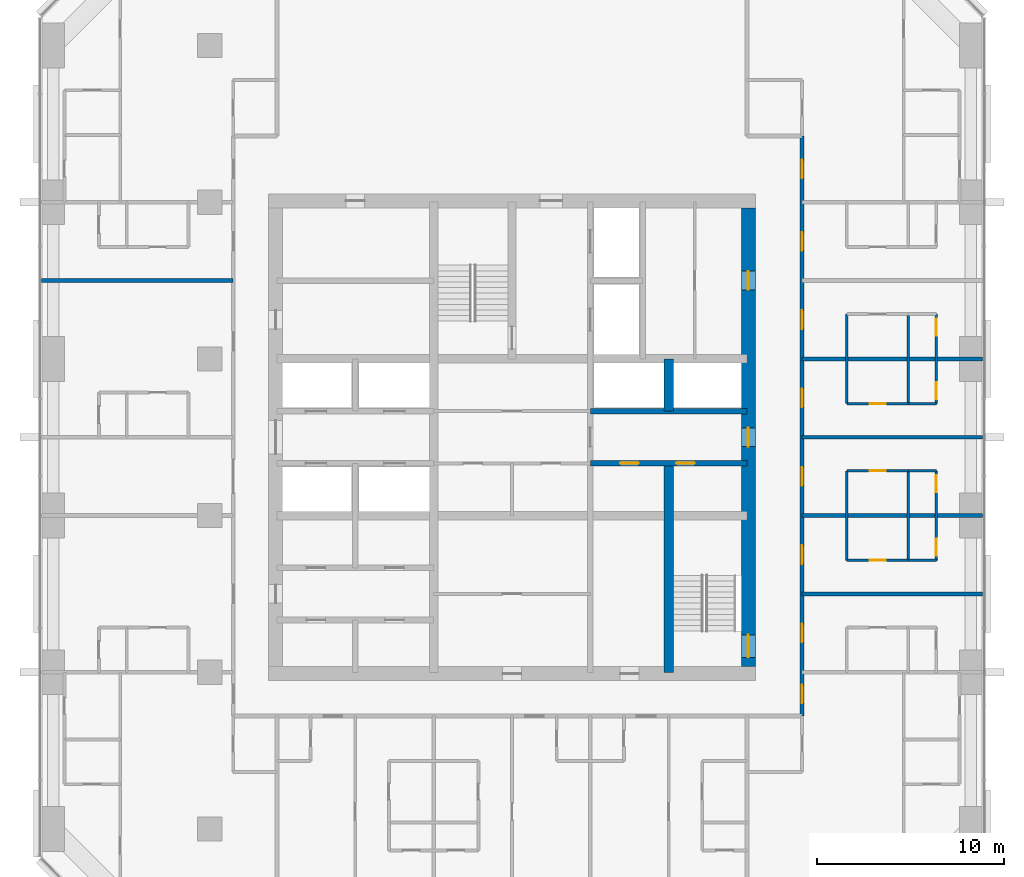
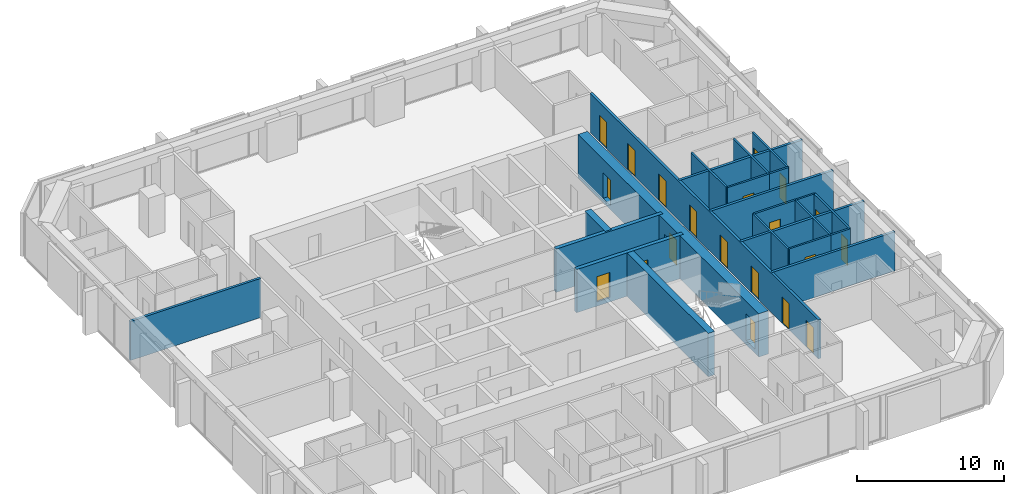
# One storey, part 11 of 14: 23 walls, 20 doors, 20 openings.
"""IFC4 building model written with IfcOpenShell, lengths in metres."""

from ifc_helpers import new_model, si_unit, direction, frame, frame_2d, origin, place, context, subcontext, project, spatial, rectangle, extrude, material, layer, layer_set, type_object, element, fill, save


model = new_model("IFC4")

# Units and contexts
model_context = context("Model", 3, precision=1e-05, world=origin(), true_north=direction((0.0, 1.0)))
body_context = subcontext(model_context, "Body", "Model", "MODEL_VIEW")
ifc_project = project(units=[si_unit("LENGTHUNIT", "METRE"), si_unit("AREAUNIT", "SQUARE_METRE"), si_unit("VOLUMEUNIT", "CUBIC_METRE"), si_unit("PLANEANGLEUNIT", "RADIAN"), si_unit("MASSUNIT", "GRAM", prefix="KILO")], contexts=[model_context])

# Site, building, storey
site_placement = place(None, origin())
site = spatial("IfcSite", under=ifc_project, at=site_placement, CompositionType="ELEMENT")
building_placement = place(site_placement, origin())
building = spatial("IfcBuilding", under=site, at=building_placement, Name="Dunama Terrace Hotel", CompositionType="ELEMENT")
storey_placement = place(building_placement, frame((0.0, 0.0, 177.0)))
storey = spatial("IfcBuildingStorey", under=building, at=storey_placement, Name="L45", CompositionType="ELEMENT", Elevation=177.0)

# Walls
ifc_material_1 = material(Name="Gypsum board partition", Category="masonry")
ifc_layer_1 = layer(ifc_material_1, 0.14990234375)
ifc_layer_set_1 = layer_set([ifc_layer_1], Name="Bathroom partition 150")
wall_type_1 = type_object("IfcWallType", Name="Bathroom partition 150", PredefinedType="PARTITIONING", material=ifc_layer_set_1)
for number, where, z_axis, x_axis, name in (
    (1, (47.35009765625, 22.800048828125, 0.0), (0.0, 0.0, 1.0), (0.0, 1.0, 0.0), "Bathroom partition 150 L45"),
    (2, (47.35009765625, 31.199951171875, 0.0), (0.0, 0.0, 1.0), (0.0, 1.0, 0.0), "Bathroom partition 150 L45"),
):
    element("IfcWall", number, at=place(storey_placement, frame(where, z_axis=z_axis, x_axis=x_axis)), inside=storey, type_object=wall_type_1, Name=name, PredefinedType="PARTITIONING", context=body_context, shape_type="SweptSolid", body=[
        extrude(rectangle(XDim=4.800048828125, YDim=0.14990234375, at=frame_2d((2.39990234375, 0.0))), origin(), (0.0, 0.0, 1.0), 3.25),
    ])

# Wall, opening, door
wall_1_placement = place(storey_placement, frame((47.35009765625, 22.800048828125, 0.0), z_axis=(0.0, 0.0, 1.0), x_axis=(1.0, 0.0, 0.0)))
wall_1 = element("IfcWall", 3, at=wall_1_placement, inside=storey, type_object=wall_type_1, Name="Bathroom partition 150 L45", PredefinedType="PARTITIONING", context=body_context, shape_type="SweptSolid", body=[
    extrude(rectangle(XDim=3.2998046875, YDim=0.14990234375, at=frame_2d((1.64990234375, 0.0))), origin(), (0.0, 0.0, 1.0), 3.25),
])
opening_1_placement = place(wall_1_placement, frame((1.22509765625, 0.0, 0.0)))
opening_1 = element("IfcOpeningElement", 4, at=opening_1_placement, cuts=wall_1, Name="Opening L45-028", PredefinedType="OPENING", context=body_context, shape_type="SweptSolid", body=[
    extrude(rectangle(XDim=0.85009765625, YDim=2.10009765625, at=frame_2d((0.425048828125, 1.050048828125))), frame((0.0, 0.0849609375, 0.0), z_axis=(0.0, -1.0, 0.0), x_axis=(1.0, 0.0, 0.0)), (0.0, 0.0, 1.0), 0.169921875),
])
ifc_material_2 = material(Name="Timber door with steel frame", Category="steel")
door_type_1 = type_object("IfcDoorType", Name="Bathroom door 850", OperationType="SINGLE_SWING_LEFT", PredefinedType="DOOR", material=ifc_material_2)
door_1_placement = place(opening_1_placement, origin())
door_1 = element("IfcDoor", 5, at=door_1_placement, inside=storey, type_object=door_type_1, Name="Door to en-suite bathroom L45-028, type D2", OperationType="SINGLE_SWING_RIGHT", OverallHeight=2.10009765625, OverallWidth=0.85009765625, PredefinedType="DOOR", context=body_context, shape_type="SweptSolid", body=[
    extrude(rectangle(XDim=0.85009765625, YDim=2.10009765625, at=frame_2d((0.425048828125, 1.050048828125))), frame((0.0, 0.02490234375, 0.0), z_axis=(0.0, -1.0, 0.0), x_axis=(1.0, 0.0, 0.0)), (0.0, 0.0, 1.0), 0.050048828125),
])
fill(opening_1, door_1)

wall_2_placement = place(storey_placement, frame((47.35009765625, 27.60009765625, 0.0), z_axis=(0.0, 0.0, 1.0), x_axis=(1.0, 0.0, 0.0)))
wall_2 = element("IfcWall", 6, at=wall_2_placement, inside=storey, type_object=wall_type_1, Name="Bathroom partition 150 L45", PredefinedType="PARTITIONING", context=body_context, shape_type="SweptSolid", body=[
    extrude(rectangle(XDim=3.2998046875, YDim=0.14990234375, at=frame_2d((1.64990234375, 0.0))), origin(), (0.0, 0.0, 1.0), 3.25),
])
opening_2_placement = place(wall_2_placement, frame((1.22509765625, 0.0, 0.0)))
opening_2 = element("IfcOpeningElement", 7, at=opening_2_placement, cuts=wall_2, Name="Opening L45-031", PredefinedType="OPENING", context=body_context, shape_type="SweptSolid", body=[
    extrude(rectangle(XDim=0.85009765625, YDim=2.10009765625, at=frame_2d((0.425048828125, 1.050048828125))), frame((0.0, 0.0849609375, 0.0), z_axis=(0.0, -1.0, 0.0), x_axis=(1.0, 0.0, 0.0)), (0.0, 0.0, 1.0), 0.169921875),
])
door_2_placement = place(opening_2_placement, frame((0.85009765625, 0.0, 0.0), z_axis=(0.0, 0.0, 1.0), x_axis=(-1.0, 0.0, 0.0)))
door_2 = element("IfcDoor", 8, at=door_2_placement, inside=storey, type_object=door_type_1, Name="Door to en-suite bathroom L45-031, type D2", OperationType="SINGLE_SWING_LEFT", OverallHeight=2.10009765625, OverallWidth=0.85009765625, PredefinedType="DOOR", context=body_context, shape_type="SweptSolid", body=[
    extrude(rectangle(XDim=0.85009765625, YDim=2.10009765625, at=frame_2d((0.425048828125, 1.050048828125))), frame((0.0, 0.025146484375, 0.0), z_axis=(0.0, -1.0, 0.0), x_axis=(1.0, 0.0, 0.0)), (0.0, 0.0, 1.0), 0.050048828125),
])
fill(opening_2, door_2)

wall_3_placement = place(storey_placement, frame((47.35009765625, 31.199951171875, 0.0), z_axis=(0.0, 0.0, 1.0), x_axis=(1.0, 0.0, 0.0)))
wall_3 = element("IfcWall", 9, at=wall_3_placement, inside=storey, type_object=wall_type_1, Name="Bathroom partition 150 L45", PredefinedType="PARTITIONING", context=body_context, shape_type="SweptSolid", body=[
    extrude(rectangle(XDim=3.2998046875, YDim=0.14990234375, at=frame_2d((1.64990234375, 0.0))), origin(), (0.0, 0.0, 1.0), 3.25),
])
opening_3_placement = place(wall_3_placement, frame((1.22509765625, 0.0, 0.0)))
opening_3 = element("IfcOpeningElement", 10, at=opening_3_placement, cuts=wall_3, Name="Opening L45-034", PredefinedType="OPENING", context=body_context, shape_type="SweptSolid", body=[
    extrude(rectangle(XDim=0.85009765625, YDim=2.10009765625, at=frame_2d((0.425048828125, 1.050048828125))), frame((0.0, 0.0849609375, 0.0), z_axis=(0.0, -1.0, 0.0), x_axis=(1.0, 0.0, 0.0)), (0.0, 0.0, 1.0), 0.169921875),
])
door_3_placement = place(opening_3_placement, origin())
door_3 = element("IfcDoor", 11, at=door_3_placement, inside=storey, type_object=door_type_1, Name="Door to en-suite bathroom L45-034, type D2", OperationType="SINGLE_SWING_RIGHT", OverallHeight=2.10009765625, OverallWidth=0.85009765625, PredefinedType="DOOR", context=body_context, shape_type="SweptSolid", body=[
    extrude(rectangle(XDim=0.85009765625, YDim=2.10009765625, at=frame_2d((0.425048828125, 1.050048828125))), frame((0.0, 0.02490234375, 0.0), z_axis=(0.0, -1.0, 0.0), x_axis=(1.0, 0.0, 0.0)), (0.0, 0.0, 1.0), 0.050048828125),
])
fill(opening_3, door_3)

# Wall, openings, doors
ifc_material_3 = material(Name="Concrete C50/60", Category="concrete")
ifc_layer_2 = layer(ifc_material_3, 0.300048828125)
ifc_layer_set_2 = layer_set([ifc_layer_2], Name="Core inner wall 300")
wall_type_2 = type_object("IfcWallType", Name="Core inner wall 300", PredefinedType="SHEAR", material=ifc_layer_set_2)
wall_4_placement = place(storey_placement, frame((33.60009765625, 28.0, -0.35009765625), z_axis=(0.0, 0.0, 1.0), x_axis=(1.0, 0.0, 0.0)))
wall_4 = element("IfcWall", 12, at=wall_4_placement, inside=storey, type_object=wall_type_2, Name="Core inner wall 300 L45", PredefinedType="SHEAR", context=body_context, shape_type="SweptSolid", body=[
    extrude(rectangle(XDim=8.39990234375, YDim=0.300048828125, at=frame_2d((4.199951171875, 0.0))), origin(), (0.0, 0.0, 1.0), 3.60009765625),
])
opening_4_placement = place(wall_4_placement, frame((1.60009765625, 0.0, 0.35009765625)))
opening_4 = element("IfcOpeningElement", 13, at=opening_4_placement, cuts=wall_4, Name="Opening L45-084", PredefinedType="OPENING", context=body_context, shape_type="SweptSolid", body=[
    extrude(rectangle(XDim=1.0, YDim=2.10009765625, at=frame_2d((0.5, 1.050048828125))), frame((0.0, 0.159912109375, 0.0), z_axis=(0.0, -1.0, 0.0), x_axis=(1.0, 0.0, 0.0)), (0.0, 0.0, 1.0), 0.320068359375),
])
opening_5_placement = place(wall_4_placement, frame((4.60009765625, 0.0, 0.35009765625)))
opening_5 = element("IfcOpeningElement", 14, at=opening_5_placement, cuts=wall_4, Name="Opening L45-085", PredefinedType="OPENING", context=body_context, shape_type="SweptSolid", body=[
    extrude(rectangle(XDim=1.0, YDim=2.10009765625, at=frame_2d((0.5, 1.050048828125))), frame((0.0, 0.159912109375, 0.0), z_axis=(0.0, -1.0, 0.0), x_axis=(1.0, 0.0, 0.0)), (0.0, 0.0, 1.0), 0.320068359375),
])
ifc_material_4 = material(Name="Timber door with steel frame", Category="steel")
door_type_2 = type_object("IfcDoorType", Name="Service door 1000", OperationType="SINGLE_SWING_LEFT", PredefinedType="DOOR", material=ifc_material_4)
door_4_placement = place(opening_4_placement, frame((1.0, 0.0, 0.0), z_axis=(0.0, 0.0, 1.0), x_axis=(-1.0, 0.0, 0.0)))
door_4 = element("IfcDoor", 15, at=door_4_placement, inside=storey, type_object=door_type_2, Name="Door to service riser L45-084, type D7", OperationType="SINGLE_SWING_LEFT", OverallHeight=2.10009765625, OverallWidth=1.0, PredefinedType="DOOR", context=body_context, shape_type="SweptSolid", body=[
    extrude(rectangle(XDim=1.0, YDim=2.10009765625, at=frame_2d((0.5, 1.050048828125))), frame((0.0, 0.025146484375, 0.0), z_axis=(0.0, -1.0, 0.0), x_axis=(1.0, 0.0, 0.0)), (0.0, 0.0, 1.0), 0.050048828125),
])
fill(opening_4, door_4)
door_5_placement = place(opening_5_placement, frame((1.0, 0.0, 0.0), z_axis=(0.0, 0.0, 1.0), x_axis=(-1.0, 0.0, 0.0)))
door_5 = element("IfcDoor", 16, at=door_5_placement, inside=storey, type_object=door_type_2, Name="Door to cleaners store L45-085, type D7", OperationType="SINGLE_SWING_RIGHT", OverallHeight=2.10009765625, OverallWidth=1.0, PredefinedType="DOOR", context=body_context, shape_type="SweptSolid", body=[
    extrude(rectangle(XDim=1.0, YDim=2.10009765625, at=frame_2d((0.5, 1.050048828125))), frame((0.0, 0.025146484375, 0.0), z_axis=(0.0, -1.0, 0.0), x_axis=(1.0, 0.0, 0.0)), (0.0, 0.0, 1.0), 0.050048828125),
])
fill(opening_5, door_5)

# Walls
wall_5_placement = place(storey_placement, frame((33.60009765625, 30.800048828125, -0.35009765625), z_axis=(0.0, 0.0, 1.0), x_axis=(1.0, 0.0, 0.0)))
element("IfcWall", 17, at=wall_5_placement, inside=storey, type_object=wall_type_2, Name="Core inner wall 300 L45", PredefinedType="SHEAR", context=body_context, shape_type="SweptSolid", body=[
    extrude(rectangle(XDim=8.39990234375, YDim=0.300048828125, at=frame_2d((4.199951171875, 0.0))), origin(), (0.0, 0.0, 1.0), 3.60009765625),
])
ifc_material_5 = material(Name="Concrete C50/60", Category="concrete")
ifc_layer_3 = layer(ifc_material_5, 0.5)
ifc_layer_set_3 = layer_set([ifc_layer_3], Name="Core inner wall 500")
wall_type_3 = type_object("IfcWallType", Name="Core inner wall 500", PredefinedType="SHEAR", material=ifc_layer_set_3)
wall_6_placement = place(storey_placement, frame((37.800048828125, 16.800048828125, -0.35009765625), z_axis=(0.0, 0.0, 1.0), x_axis=(0.0, 1.0, 0.0)))
element("IfcWall", 18, at=wall_6_placement, inside=storey, type_object=wall_type_3, Name="Core inner wall 500 L45", PredefinedType="SHEAR", context=body_context, shape_type="SweptSolid", body=[
    extrude(rectangle(XDim=11.199951171875, YDim=0.5, at=frame_2d((5.60009765625, 0.0))), origin(), (0.0, 0.0, 1.0), 3.60009765625),
])
wall_7_placement = place(storey_placement, frame((37.800048828125, 30.800048828125, -0.35009765625), z_axis=(0.0, 0.0, 1.0), x_axis=(0.0, 1.0, 0.0)))
element("IfcWall", 19, at=wall_7_placement, inside=storey, type_object=wall_type_3, Name="Core inner wall 500 L45", PredefinedType="SHEAR", context=body_context, shape_type="SweptSolid", body=[
    extrude(rectangle(XDim=2.800048828125, YDim=0.5, at=frame_2d((1.39990234375, 0.0))), origin(), (0.0, 0.0, 1.0), 3.60009765625),
])

# Wall, openings, doors
ifc_material_6 = material(Name="Concrete C60/75", Category="concrete")
ifc_layer_4 = layer(ifc_material_6, 0.75)
ifc_layer_set_4 = layer_set([ifc_layer_4], Name="Core wall 750")
wall_type_4 = type_object("IfcWallType", Name="Core wall 750", PredefinedType="SHEAR", material=ifc_layer_set_4)
wall_8_placement = place(storey_placement, frame((42.074951171875, 17.10009765625, -0.35009765625), z_axis=(0.0, 0.0, 1.0), x_axis=(0.0, 1.0, 0.0)))
wall_8 = element("IfcWall", 20, at=wall_8_placement, inside=storey, type_object=wall_type_4, Name="Core wall east L45", PredefinedType="SHEAR", context=body_context, shape_type="SweptSolid", body=[
    extrude(rectangle(XDim=24.599853515625, YDim=0.75, at=frame_2d((12.2998046875, 0.0))), origin(), (0.0, 0.0, 1.0), 3.60009765625),
])
opening_6_placement = place(wall_8_placement, frame((0.5, 0.0, 0.35009765625)))
opening_6 = element("IfcOpeningElement", 21, at=opening_6_placement, cuts=wall_8, Name="Opening L45-002", PredefinedType="OPENING", context=body_context, shape_type="SweptSolid", body=[
    extrude(rectangle(XDim=1.199951171875, YDim=2.199951171875, at=frame_2d((0.60009765625, 1.10009765625))), frame((0.0, 0.385009765625, 0.0), z_axis=(0.0, -1.0, 0.0), x_axis=(1.0, 0.0, 0.0)), (0.0, 0.0, 1.0), 0.77001953125),
])
opening_7_placement = place(wall_8_placement, frame((11.800048828125, 0.0, 0.35009765625)))
opening_7 = element("IfcOpeningElement", 22, at=opening_7_placement, cuts=wall_8, Name="Opening L45-086", PredefinedType="OPENING", context=body_context, shape_type="SweptSolid", body=[
    extrude(rectangle(XDim=1.0, YDim=2.10009765625, at=frame_2d((0.5, 1.050048828125))), frame((0.0, 0.385009765625, 0.0), z_axis=(0.0, -1.0, 0.0), x_axis=(1.0, 0.0, 0.0)), (0.0, 0.0, 1.0), 0.77001953125),
])
opening_8_placement = place(wall_8_placement, frame((20.199951171875, 0.0, 0.35009765625)))
opening_8 = element("IfcOpeningElement", 23, at=opening_8_placement, cuts=wall_8, Name="Opening L45-088", PredefinedType="OPENING", context=body_context, shape_type="SweptSolid", body=[
    extrude(rectangle(XDim=1.0, YDim=2.10009765625, at=frame_2d((0.5, 1.050048828125))), frame((0.0, 0.385009765625, 0.0), z_axis=(0.0, -1.0, 0.0), x_axis=(1.0, 0.0, 0.0)), (0.0, 0.0, 1.0), 0.77001953125),
])
door_6_placement = place(opening_7_placement, origin())
door_6 = element("IfcDoor", 24, at=door_6_placement, inside=storey, type_object=door_type_2, Name="Door to service lobby L45-086, type D7", OperationType="SINGLE_SWING_RIGHT", OverallHeight=2.10009765625, OverallWidth=1.0, PredefinedType="DOOR", context=body_context, shape_type="SweptSolid", body=[
    extrude(rectangle(XDim=1.0, YDim=2.10009765625, at=frame_2d((0.5, 1.050048828125))), frame((0.0, 0.02490234375, 0.0), z_axis=(0.0, -1.0, 0.0), x_axis=(1.0, 0.0, 0.0)), (0.0, 0.0, 1.0), 0.050048828125),
])
fill(opening_7, door_6)
door_7_placement = place(opening_8_placement, origin())
door_7 = element("IfcDoor", 25, at=door_7_placement, inside=storey, type_object=door_type_2, Name="Door to guest pantry L45-088, type D7", OperationType="SINGLE_SWING_LEFT", OverallHeight=2.10009765625, OverallWidth=1.0, PredefinedType="DOOR", context=body_context, shape_type="SweptSolid", body=[
    extrude(rectangle(XDim=1.0, YDim=2.10009765625, at=frame_2d((0.5, 1.050048828125))), frame((0.0, 0.02490234375, 0.0), z_axis=(0.0, -1.0, 0.0), x_axis=(1.0, 0.0, 0.0)), (0.0, 0.0, 1.0), 0.050048828125),
])
fill(opening_8, door_7)
ifc_material_7 = material(Name="Timber door with steel frame", Category="steel")
door_type_3 = type_object("IfcDoorType", Name="Stair door 1200", OperationType="SINGLE_SWING_LEFT", PredefinedType="DOOR", material=ifc_material_7)
door_8_placement = place(opening_6_placement, origin())
door_8 = element("IfcDoor", 26, at=door_8_placement, inside=storey, type_object=door_type_3, Name="Stair door ST2 L45-002, type D5", OperationType="SINGLE_SWING_LEFT", OverallHeight=2.199951171875, OverallWidth=1.199951171875, PredefinedType="DOOR", context=body_context, shape_type="SweptSolid", body=[
    extrude(rectangle(XDim=1.199951171875, YDim=2.199951171875, at=frame_2d((0.60009765625, 1.10009765625))), frame((0.0, 0.02490234375, 0.0), z_axis=(0.0, -1.0, 0.0), x_axis=(1.0, 0.0, 0.0)), (0.0, 0.0, 1.0), 0.050048828125),
])
fill(opening_6, door_8)

ifc_material_8 = material(Name="Concrete blockwork", Category="masonry")
ifc_layer_5 = layer(ifc_material_8, 0.199951171875)
ifc_layer_set_5 = layer_set([ifc_layer_5], Name="Corridor partition 200")
wall_type_5 = type_object("IfcWallType", Name="Corridor partition 200", PredefinedType="PARTITIONING", material=ifc_layer_set_5)
wall_9_placement = place(storey_placement, frame((44.949951171875, 45.550048828125, 0.0), z_axis=(0.0, 0.0, 1.0), x_axis=(0.0, -1.0, 0.0)))
wall_9 = element("IfcWall", 27, at=wall_9_placement, inside=storey, type_object=wall_type_5, Name="Corridor partition 200 L45", PredefinedType="PARTITIONING", context=body_context, shape_type="SweptSolid", body=[
    extrude(rectangle(XDim=31.10009765625, YDim=0.199951171875, at=frame_2d((15.550048828125, 0.0))), origin(), (0.0, 0.0, 1.0), 3.25),
])
opening_9_placement = place(wall_9_placement, frame((26.14990234375, 0.0, 0.0)))
opening_9 = element("IfcOpeningElement", 28, at=opening_9_placement, cuts=wall_9, Name="Opening L45-024", PredefinedType="OPENING", context=body_context, shape_type="SweptSolid", body=[
    extrude(rectangle(XDim=1.0, YDim=2.199951171875, at=frame_2d((0.5, 1.10009765625))), frame((0.0, 0.10986328125, 0.0), z_axis=(0.0, -1.0, 0.0), x_axis=(1.0, 0.0, 0.0)), (0.0, 0.0, 1.0), 0.219970703125),
])
opening_10_placement = place(wall_9_placement, frame((21.949951171875, 0.0, 0.0)))
opening_10 = element("IfcOpeningElement", 29, at=opening_10_placement, cuts=wall_9, Name="Opening L45-027", PredefinedType="OPENING", context=body_context, shape_type="SweptSolid", body=[
    extrude(rectangle(XDim=1.0, YDim=2.199951171875, at=frame_2d((0.5, 1.10009765625))), frame((0.0, 0.10986328125, 0.0), z_axis=(0.0, -1.0, 0.0), x_axis=(1.0, 0.0, 0.0)), (0.0, 0.0, 1.0), 0.219970703125),
])
opening_11_placement = place(wall_9_placement, frame((17.75, 0.0, 0.0)))
opening_11 = element("IfcOpeningElement", 30, at=opening_11_placement, cuts=wall_9, Name="Opening L45-030", PredefinedType="OPENING", context=body_context, shape_type="SweptSolid", body=[
    extrude(rectangle(XDim=1.0, YDim=2.199951171875, at=frame_2d((0.5, 1.10009765625))), frame((0.0, 0.10986328125, 0.0), z_axis=(0.0, -1.0, 0.0), x_axis=(1.0, 0.0, 0.0)), (0.0, 0.0, 1.0), 0.219970703125),
])
opening_12_placement = place(wall_9_placement, frame((13.550048828125, 0.0, 0.0)))
opening_12 = element("IfcOpeningElement", 31, at=opening_12_placement, cuts=wall_9, Name="Opening L45-033", PredefinedType="OPENING", context=body_context, shape_type="SweptSolid", body=[
    extrude(rectangle(XDim=1.0, YDim=2.199951171875, at=frame_2d((0.5, 1.10009765625))), frame((0.0, 0.10986328125, 0.0), z_axis=(0.0, -1.0, 0.0), x_axis=(1.0, 0.0, 0.0)), (0.0, 0.0, 1.0), 0.219970703125),
])
opening_13_placement = place(wall_9_placement, frame((9.35009765625, 0.0, 0.0)))
opening_13 = element("IfcOpeningElement", 32, at=opening_13_placement, cuts=wall_9, Name="Opening L45-036", PredefinedType="OPENING", context=body_context, shape_type="SweptSolid", body=[
    extrude(rectangle(XDim=1.0, YDim=2.199951171875, at=frame_2d((0.5, 1.10009765625))), frame((0.0, 0.10986328125, 0.0), z_axis=(0.0, -1.0, 0.0), x_axis=(1.0, 0.0, 0.0)), (0.0, 0.0, 1.0), 0.219970703125),
])
opening_14_placement = place(wall_9_placement, frame((5.14990234375, 0.0, 0.0)))
opening_14 = element("IfcOpeningElement", 33, at=opening_14_placement, cuts=wall_9, Name="Opening L45-039", PredefinedType="OPENING", context=body_context, shape_type="SweptSolid", body=[
    extrude(rectangle(XDim=1.0, YDim=2.199951171875, at=frame_2d((0.5, 1.10009765625))), frame((0.0, 0.10986328125, 0.0), z_axis=(0.0, -1.0, 0.0), x_axis=(1.0, 0.0, 0.0)), (0.0, 0.0, 1.0), 0.219970703125),
])
opening_15_placement = place(wall_9_placement, frame((29.425048828125, 0.0, 0.0)))
opening_15 = element("IfcOpeningElement", 34, at=opening_15_placement, cuts=wall_9, Name="Opening L45-057", PredefinedType="OPENING", context=body_context, shape_type="SweptSolid", body=[
    extrude(rectangle(XDim=1.0, YDim=2.199951171875, at=frame_2d((0.5, 1.10009765625))), frame((0.0, 0.10986328125, 0.0), z_axis=(0.0, -1.0, 0.0), x_axis=(1.0, 0.0, 0.0)), (0.0, 0.0, 1.0), 0.219970703125),
])
opening_16_placement = place(wall_9_placement, frame((1.27490234375, 0.0, 0.0)))
opening_16 = element("IfcOpeningElement", 35, at=opening_16_placement, cuts=wall_9, Name="Opening L45-062", PredefinedType="OPENING", context=body_context, shape_type="SweptSolid", body=[
    extrude(rectangle(XDim=1.0, YDim=2.199951171875, at=frame_2d((0.5, 1.10009765625))), frame((0.0, 0.10986328125, 0.0), z_axis=(0.0, -1.0, 0.0), x_axis=(1.0, 0.0, 0.0)), (0.0, 0.0, 1.0), 0.219970703125),
])
ifc_material_9 = material(Name="Timber door with steel frame", Category="steel")
door_type_4 = type_object("IfcDoorType", Name="Guest room door 1000", OperationType="SINGLE_SWING_LEFT", PredefinedType="DOOR", material=ifc_material_9)
door_9_placement = place(opening_9_placement, origin())
door_9 = element("IfcDoor", 36, at=door_9_placement, inside=storey, type_object=door_type_4, Name="Door to club room L45-024, type D1", OperationType="SINGLE_SWING_RIGHT", OverallHeight=2.199951171875, OverallWidth=1.0, PredefinedType="DOOR", context=body_context, shape_type="SweptSolid", body=[
    extrude(rectangle(XDim=1.0, YDim=2.199951171875, at=frame_2d((0.5, 1.10009765625))), frame((0.0, 0.02490234375, 0.0), z_axis=(0.0, -1.0, 0.0), x_axis=(1.0, 0.0, 0.0)), (0.0, 0.0, 1.0), 0.050048828125),
])
fill(opening_9, door_9)
door_10_placement = place(opening_10_placement, origin())
door_10 = element("IfcDoor", 37, at=door_10_placement, inside=storey, type_object=door_type_4, Name="Door to club room L45-027, type D1", OperationType="SINGLE_SWING_LEFT", OverallHeight=2.199951171875, OverallWidth=1.0, PredefinedType="DOOR", context=body_context, shape_type="SweptSolid", body=[
    extrude(rectangle(XDim=1.0, YDim=2.199951171875, at=frame_2d((0.5, 1.10009765625))), frame((0.0, 0.02490234375, 0.0), z_axis=(0.0, -1.0, 0.0), x_axis=(1.0, 0.0, 0.0)), (0.0, 0.0, 1.0), 0.050048828125),
])
fill(opening_10, door_10)
door_11_placement = place(opening_11_placement, origin())
door_11 = element("IfcDoor", 38, at=door_11_placement, inside=storey, type_object=door_type_4, Name="Door to club room L45-030, type D1", OperationType="SINGLE_SWING_RIGHT", OverallHeight=2.199951171875, OverallWidth=1.0, PredefinedType="DOOR", context=body_context, shape_type="SweptSolid", body=[
    extrude(rectangle(XDim=1.0, YDim=2.199951171875, at=frame_2d((0.5, 1.10009765625))), frame((0.0, 0.02490234375, 0.0), z_axis=(0.0, -1.0, 0.0), x_axis=(1.0, 0.0, 0.0)), (0.0, 0.0, 1.0), 0.050048828125),
])
fill(opening_11, door_11)
door_12_placement = place(opening_12_placement, origin())
door_12 = element("IfcDoor", 39, at=door_12_placement, inside=storey, type_object=door_type_4, Name="Door to club room L45-033, type D1", OperationType="SINGLE_SWING_LEFT", OverallHeight=2.199951171875, OverallWidth=1.0, PredefinedType="DOOR", context=body_context, shape_type="SweptSolid", body=[
    extrude(rectangle(XDim=1.0, YDim=2.199951171875, at=frame_2d((0.5, 1.10009765625))), frame((0.0, 0.02490234375, 0.0), z_axis=(0.0, -1.0, 0.0), x_axis=(1.0, 0.0, 0.0)), (0.0, 0.0, 1.0), 0.050048828125),
])
fill(opening_12, door_12)
door_13_placement = place(opening_13_placement, origin())
door_13 = element("IfcDoor", 40, at=door_13_placement, inside=storey, type_object=door_type_4, Name="Door to club room L45-036, type D1", OperationType="SINGLE_SWING_RIGHT", OverallHeight=2.199951171875, OverallWidth=1.0, PredefinedType="DOOR", context=body_context, shape_type="SweptSolid", body=[
    extrude(rectangle(XDim=1.0, YDim=2.199951171875, at=frame_2d((0.5, 1.10009765625))), frame((0.0, 0.02490234375, 0.0), z_axis=(0.0, -1.0, 0.0), x_axis=(1.0, 0.0, 0.0)), (0.0, 0.0, 1.0), 0.050048828125),
])
fill(opening_13, door_13)
door_14_placement = place(opening_14_placement, origin())
door_14 = element("IfcDoor", 41, at=door_14_placement, inside=storey, type_object=door_type_4, Name="Door to club room L45-039, type D1", OperationType="SINGLE_SWING_LEFT", OverallHeight=2.199951171875, OverallWidth=1.0, PredefinedType="DOOR", context=body_context, shape_type="SweptSolid", body=[
    extrude(rectangle(XDim=1.0, YDim=2.199951171875, at=frame_2d((0.5, 1.10009765625))), frame((0.0, 0.02490234375, 0.0), z_axis=(0.0, -1.0, 0.0), x_axis=(1.0, 0.0, 0.0)), (0.0, 0.0, 1.0), 0.050048828125),
])
fill(opening_14, door_14)
door_15_placement = place(opening_15_placement, origin())
door_15 = element("IfcDoor", 42, at=door_15_placement, inside=storey, type_object=door_type_4, Name="Door to corner suite living room L45-057, type D1", OperationType="SINGLE_SWING_RIGHT", OverallHeight=2.199951171875, OverallWidth=1.0, PredefinedType="DOOR", context=body_context, shape_type="SweptSolid", body=[
    extrude(rectangle(XDim=1.0, YDim=2.199951171875, at=frame_2d((0.5, 1.10009765625))), frame((0.0, 0.02490234375, 0.0), z_axis=(0.0, -1.0, 0.0), x_axis=(1.0, 0.0, 0.0)), (0.0, 0.0, 1.0), 0.050048828125),
])
fill(opening_15, door_15)
door_16_placement = place(opening_16_placement, origin())
door_16 = element("IfcDoor", 43, at=door_16_placement, inside=storey, type_object=door_type_4, Name="Door to corner suite living room L45-062, type D1", OperationType="SINGLE_SWING_RIGHT", OverallHeight=2.199951171875, OverallWidth=1.0, PredefinedType="DOOR", context=body_context, shape_type="SweptSolid", body=[
    extrude(rectangle(XDim=1.0, YDim=2.199951171875, at=frame_2d((0.5, 1.10009765625))), frame((0.0, 0.02490234375, 0.0), z_axis=(0.0, -1.0, 0.0), x_axis=(1.0, 0.0, 0.0)), (0.0, 0.0, 1.0), 0.050048828125),
])
fill(opening_16, door_16)

# Walls
ifc_material_10 = material(Name="Concrete blockwork", Category="masonry")
ifc_layer_6 = layer(ifc_material_10, 0.199951171875)
ifc_layer_set_6 = layer_set([ifc_layer_6], Name="Party wall 200")
wall_type_6 = type_object("IfcWallType", Name="Party wall 200", PredefinedType="PARTITIONING", material=ifc_layer_set_6)
for number, where, z_axis, x_axis, name in (
    (44, (44.949951171875, 21.0, 0.0), (0.0, 0.0, 1.0), (1.0, 0.0, 0.0), "Party wall 200 L45"),
    (45, (44.949951171875, 25.199951171875, 0.0), (0.0, 0.0, 1.0), (1.0, 0.0, 0.0), "Party wall 200 L45"),
    (46, (44.949951171875, 29.39990234375, 0.0), (0.0, 0.0, 1.0), (1.0, 0.0, 0.0), "Party wall 200 L45"),
    (47, (44.949951171875, 33.60009765625, 0.0), (0.0, 0.0, 1.0), (1.0, 0.0, 0.0), "Party wall 200 L45"),
):
    element("IfcWall", number, at=place(storey_placement, frame(where, z_axis=z_axis, x_axis=x_axis)), inside=storey, type_object=wall_type_6, Name=name, PredefinedType="PARTITIONING", context=body_context, shape_type="SweptSolid", body=[
        extrude(rectangle(XDim=9.66796875, YDim=0.199951171875, at=frame_2d((4.833984375, 0.0))), origin(), (0.0, 0.0, 1.0), 3.25),
    ])
wall_10_placement = place(storey_placement, frame((4.181884765625, 37.800048828125, 0.0), z_axis=(0.0, 0.0, 1.0), x_axis=(1.0, 0.0, 0.0)))
element("IfcWall", 48, at=wall_10_placement, inside=storey, type_object=wall_type_6, Name="Party wall 200 L45", PredefinedType="PARTITIONING", context=body_context, shape_type="SweptSolid", body=[
    extrude(rectangle(XDim=10.26806640625, YDim=0.199951171875, at=frame_2d((5.134033203125, 0.0))), origin(), (0.0, 0.0, 1.0), 3.25),
])
ifc_material_11 = material(Name="Gypsum board partition", Category="masonry")
ifc_layer_7 = layer(ifc_material_11, 0.14990234375)
ifc_layer_set_7 = layer_set([ifc_layer_7], Name="Room partition 150")
wall_type_7 = type_object("IfcWallType", Name="Room partition 150", PredefinedType="PARTITIONING", material=ifc_layer_set_7)
for number, where, z_axis, x_axis, name in (
    (49, (50.64990234375, 22.800048828125, 0.0), (0.0, 0.0, 1.0), (0.0, 1.0, 0.0), "Room partition 150 L45"),
    (50, (50.64990234375, 31.199951171875, 0.0), (0.0, 0.0, 1.0), (0.0, 1.0, 0.0), "Room partition 150 L45"),
):
    element("IfcWall", number, at=place(storey_placement, frame(where, z_axis=z_axis, x_axis=x_axis)), inside=storey, type_object=wall_type_7, Name=name, PredefinedType="PARTITIONING", context=body_context, shape_type="SweptSolid", body=[
        extrude(rectangle(XDim=4.800048828125, YDim=0.14990234375, at=frame_2d((2.39990234375, 0.0))), origin(), (0.0, 0.0, 1.0), 3.25),
    ])

# Wall, openings, doors
wall_11_placement = place(storey_placement, frame((52.14990234375, 22.800048828125, 0.0), z_axis=(0.0, 0.0, 1.0), x_axis=(0.0, 1.0, 0.0)))
wall_11 = element("IfcWall", 51, at=wall_11_placement, inside=storey, type_object=wall_type_7, Name="Room partition 150 L45", PredefinedType="PARTITIONING", context=body_context, shape_type="SweptSolid", body=[
    extrude(rectangle(XDim=4.800048828125, YDim=0.14990234375, at=frame_2d((2.39990234375, 0.0))), origin(), (0.0, 0.0, 1.0), 3.25),
])
opening_17_placement = place(wall_11_placement, frame((0.25, 0.0, 0.0)))
opening_17 = element("IfcOpeningElement", 52, at=opening_17_placement, cuts=wall_11, Name="Opening L45-029", PredefinedType="OPENING", context=body_context, shape_type="SweptSolid", body=[
    extrude(rectangle(XDim=0.89990234375, YDim=2.10009765625, at=frame_2d((0.449951171875, 1.050048828125))), frame((0.0, 0.0849609375, 0.0), z_axis=(0.0, -1.0, 0.0), x_axis=(1.0, 0.0, 0.0)), (0.0, 0.0, 1.0), 0.169921875),
])
opening_18_placement = place(wall_11_placement, frame((3.64990234375, 0.0, 0.0)))
opening_18 = element("IfcOpeningElement", 53, at=opening_18_placement, cuts=wall_11, Name="Opening L45-032", PredefinedType="OPENING", context=body_context, shape_type="SweptSolid", body=[
    extrude(rectangle(XDim=0.89990234375, YDim=2.10009765625, at=frame_2d((0.449951171875, 1.050048828125))), frame((0.0, 0.0849609375, 0.0), z_axis=(0.0, -1.0, 0.0), x_axis=(1.0, 0.0, 0.0)), (0.0, 0.0, 1.0), 0.169921875),
])
ifc_material_12 = material(Name="Timber door with steel frame", Category="steel")
door_type_5 = type_object("IfcDoorType", Name="Suite internal door 900", OperationType="SINGLE_SWING_LEFT", PredefinedType="DOOR", material=ifc_material_12)
door_17_placement = place(opening_17_placement, origin())
door_17 = element("IfcDoor", 54, at=door_17_placement, inside=storey, type_object=door_type_5, Name="Door to walk-in wardrobe L45-029, type D16", OperationType="SINGLE_SWING_LEFT", OverallHeight=2.10009765625, OverallWidth=0.89990234375, PredefinedType="DOOR", context=body_context, shape_type="SweptSolid", body=[
    extrude(rectangle(XDim=0.89990234375, YDim=2.10009765625, at=frame_2d((0.449951171875, 1.050048828125))), frame((0.0, 0.02490234375, 0.0), z_axis=(0.0, -1.0, 0.0), x_axis=(1.0, 0.0, 0.0)), (0.0, 0.0, 1.0), 0.050048828125),
])
fill(opening_17, door_17)
door_18_placement = place(opening_18_placement, origin())
door_18 = element("IfcDoor", 55, at=door_18_placement, inside=storey, type_object=door_type_5, Name="Door to walk-in wardrobe L45-032, type D16", OperationType="SINGLE_SWING_RIGHT", OverallHeight=2.10009765625, OverallWidth=0.89990234375, PredefinedType="DOOR", context=body_context, shape_type="SweptSolid", body=[
    extrude(rectangle(XDim=0.89990234375, YDim=2.10009765625, at=frame_2d((0.449951171875, 1.050048828125))), frame((0.0, 0.02490234375, 0.0), z_axis=(0.0, -1.0, 0.0), x_axis=(1.0, 0.0, 0.0)), (0.0, 0.0, 1.0), 0.050048828125),
])
fill(opening_18, door_18)

wall_12_placement = place(storey_placement, frame((52.14990234375, 31.199951171875, 0.0), z_axis=(0.0, 0.0, 1.0), x_axis=(0.0, 1.0, 0.0)))
wall_12 = element("IfcWall", 56, at=wall_12_placement, inside=storey, type_object=wall_type_7, Name="Room partition 150 L45", PredefinedType="PARTITIONING", context=body_context, shape_type="SweptSolid", body=[
    extrude(rectangle(XDim=4.800048828125, YDim=0.14990234375, at=frame_2d((2.39990234375, 0.0))), origin(), (0.0, 0.0, 1.0), 3.25),
])
opening_19_placement = place(wall_12_placement, frame((0.25, 0.0, 0.0)))
opening_19 = element("IfcOpeningElement", 57, at=opening_19_placement, cuts=wall_12, Name="Opening L45-035", PredefinedType="OPENING", context=body_context, shape_type="SweptSolid", body=[
    extrude(rectangle(XDim=0.89990234375, YDim=2.10009765625, at=frame_2d((0.449951171875, 1.050048828125))), frame((0.0, 0.0849609375, 0.0), z_axis=(0.0, -1.0, 0.0), x_axis=(1.0, 0.0, 0.0)), (0.0, 0.0, 1.0), 0.169921875),
])
opening_20_placement = place(wall_12_placement, frame((3.64990234375, 0.0, 0.0)))
opening_20 = element("IfcOpeningElement", 58, at=opening_20_placement, cuts=wall_12, Name="Opening L45-038", PredefinedType="OPENING", context=body_context, shape_type="SweptSolid", body=[
    extrude(rectangle(XDim=0.89990234375, YDim=2.10009765625, at=frame_2d((0.449951171875, 1.050048828125))), frame((0.0, 0.0849609375, 0.0), z_axis=(0.0, -1.0, 0.0), x_axis=(1.0, 0.0, 0.0)), (0.0, 0.0, 1.0), 0.169921875),
])
door_19_placement = place(opening_19_placement, origin())
door_19 = element("IfcDoor", 59, at=door_19_placement, inside=storey, type_object=door_type_5, Name="Door to walk-in wardrobe L45-035, type D16", OperationType="SINGLE_SWING_LEFT", OverallHeight=2.10009765625, OverallWidth=0.89990234375, PredefinedType="DOOR", context=body_context, shape_type="SweptSolid", body=[
    extrude(rectangle(XDim=0.89990234375, YDim=2.10009765625, at=frame_2d((0.449951171875, 1.050048828125))), frame((0.0, 0.02490234375, 0.0), z_axis=(0.0, -1.0, 0.0), x_axis=(1.0, 0.0, 0.0)), (0.0, 0.0, 1.0), 0.050048828125),
])
fill(opening_19, door_19)
door_20_placement = place(opening_20_placement, origin())
door_20 = element("IfcDoor", 60, at=door_20_placement, inside=storey, type_object=door_type_5, Name="Door to walk-in wardrobe L45-038, type D16", OperationType="SINGLE_SWING_RIGHT", OverallHeight=2.10009765625, OverallWidth=0.89990234375, PredefinedType="DOOR", context=body_context, shape_type="SweptSolid", body=[
    extrude(rectangle(XDim=0.89990234375, YDim=2.10009765625, at=frame_2d((0.449951171875, 1.050048828125))), frame((0.0, 0.02490234375, 0.0), z_axis=(0.0, -1.0, 0.0), x_axis=(1.0, 0.0, 0.0)), (0.0, 0.0, 1.0), 0.050048828125),
])
fill(opening_20, door_20)

# Walls
for number, where, z_axis, x_axis, name in (
    (61, (50.64990234375, 22.800048828125, 0.0), (0.0, 0.0, 1.0), (1.0, 0.0, 0.0), "Room partition 150 L45"),
    (62, (50.64990234375, 27.60009765625, 0.0), (0.0, 0.0, 1.0), (1.0, 0.0, 0.0), "Room partition 150 L45"),
    (63, (50.64990234375, 31.199951171875, 0.0), (0.0, 0.0, 1.0), (1.0, 0.0, 0.0), "Room partition 150 L45"),
):
    element("IfcWall", number, at=place(storey_placement, frame(where, z_axis=z_axis, x_axis=x_axis)), inside=storey, type_object=wall_type_7, Name=name, PredefinedType="PARTITIONING", context=body_context, shape_type="SweptSolid", body=[
        extrude(rectangle(XDim=1.5, YDim=0.14990234375, at=frame_2d((0.75, 0.0))), origin(), (0.0, 0.0, 1.0), 3.25),
    ])

save(model, "model.ifc")
